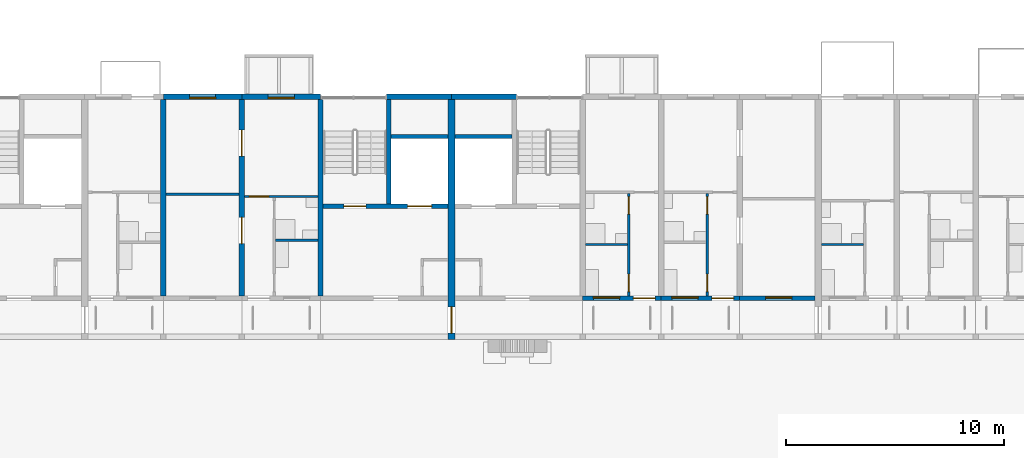
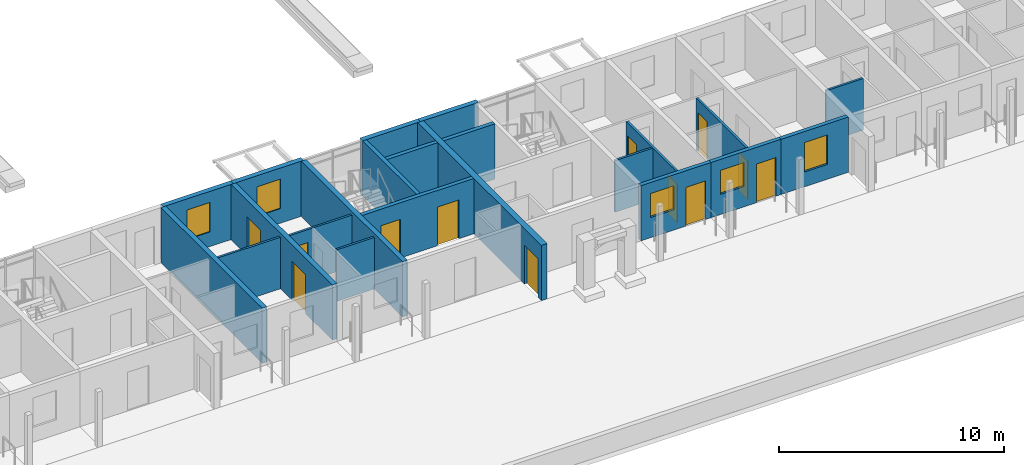
# One storey, part 42 of 115: 22 walls, 12 doors, 5 windows, 17 openings.
"""IFC4 building model written with IfcOpenShell, lengths in metres."""

from ifc_helpers import new_model, si_unit, direction, frame, frame_2d, origin, place, context, subcontext, project, spatial, rectangle, extrude, material, layer, layer_set, type_object, element, fill, save


model = new_model("IFC4")

# Units and contexts
model_context = context("Model", 3, precision=1e-05, world=origin(), true_north=direction((0.0, 1.0)))
body_context = subcontext(model_context, "Body", "Model", "MODEL_VIEW")
ifc_project = project(units=[si_unit("LENGTHUNIT", "METRE"), si_unit("AREAUNIT", "SQUARE_METRE"), si_unit("VOLUMEUNIT", "CUBIC_METRE"), si_unit("PLANEANGLEUNIT", "RADIAN"), si_unit("MASSUNIT", "GRAM", prefix="KILO")], contexts=[model_context])

# Site, building, storey
site_placement = place(None, origin())
site = spatial("IfcSite", under=ifc_project, at=site_placement, CompositionType="ELEMENT")
building_placement = place(site_placement, origin())
building = spatial("IfcBuilding", under=site, at=building_placement, Name="Ridgestep Commons", CompositionType="ELEMENT")
storey_placement = place(building_placement, frame((0.0, 0.0, 6.0)))
storey = spatial("IfcBuildingStorey", under=building, at=storey_placement, Name="L02", CompositionType="ELEMENT", Elevation=6.0)

# Wall
ifc_material_1 = material(Name="Concrete C30/37", Category="concrete")
ifc_layer_1 = layer(ifc_material_1, 0.25)
ifc_layer_set_1 = layer_set([ifc_layer_1], Name="Core cross wall 250")
wall_type_1 = type_object("IfcWallType", Name="Core cross wall 250", PredefinedType="SHEAR", material=ifc_layer_set_1)
wall_1_placement = place(storey_placement, frame((39.60009765625, 13.75, 0.0), z_axis=(0.0, 0.0, 1.0), x_axis=(0.0, 1.0, 0.0)))
element("IfcWall", 1, at=wall_1_placement, inside=storey, type_object=wall_type_1, Name="Cross wall A-02-0396", PredefinedType="SHEAR", context=body_context, shape_type="SweptSolid", body=[
    extrude(rectangle(XDim=9.0, YDim=0.25, at=frame_2d((4.5, 0.0))), origin(), (0.0, 0.0, 1.0), 3.0),
])

# Wall, openings, doors
ifc_material_2 = material(Name="Concrete C30/37", Category="concrete")
ifc_layer_2 = layer(ifc_material_2, 0.199951171875)
ifc_layer_set_2 = layer_set([ifc_layer_2], Name="Core wall 200")
wall_type_2 = type_object("IfcWallType", Name="Core wall 200", PredefinedType="SHEAR", material=ifc_layer_set_2)
wall_2_placement = place(storey_placement, frame((39.72509765625, 17.85009765625, 0.0), z_axis=(0.0, 0.0, 1.0), x_axis=(1.0, 0.0, 0.0)))
wall_2 = element("IfcWall", 2, at=wall_2_placement, inside=storey, type_object=wall_type_2, Name="Core lobby wall A2C L02", PredefinedType="SHEAR", context=body_context, shape_type="SweptSolid", body=[
    extrude(rectangle(XDim=5.724853515625, YDim=0.199951171875, at=frame_2d((2.8623046875, 0.0))), origin(), (0.0, 0.0, 1.0), 3.0),
])
opening_1_placement = place(wall_2_placement, frame((0.949951171875, 0.0, 0.0)))
opening_1 = element("IfcOpeningElement", 3, at=opening_1_placement, cuts=wall_2, Name="Opening A2C/02/2", PredefinedType="OPENING", context=body_context, shape_type="SweptSolid", body=[
    extrude(rectangle(XDim=1.0, YDim=2.10009765625, at=frame_2d((0.5, 1.050048828125))), frame((0.0, 0.10986328125, 0.0), z_axis=(0.0, -1.0, 0.0), x_axis=(1.0, 0.0, 0.0)), (0.0, 0.0, 1.0), 0.219970703125),
])
opening_2_placement = place(wall_2_placement, frame((3.862548828125, 0.0, 0.0)))
opening_2 = element("IfcOpeningElement", 4, at=opening_2_placement, cuts=wall_2, Name="Opening A2C/02/3", PredefinedType="OPENING", context=body_context, shape_type="SweptSolid", body=[
    extrude(rectangle(XDim=1.10009765625, YDim=2.10009765625, at=frame_2d((0.550048828125, 1.050048828125))), frame((0.0, 0.10986328125, 0.0), z_axis=(0.0, -1.0, 0.0), x_axis=(1.0, 0.0, 0.0)), (0.0, 0.0, 1.0), 0.219970703125),
])
ifc_material_3 = material(Name="Stainless steel", Category="steel")
door_type_1 = type_object("IfcDoorType", Name="Lift landing door 1100 x 2100 FD60", OperationType="DOUBLE_DOOR_SLIDING", PredefinedType="DOOR", material=ifc_material_3)
door_1_placement = place(opening_2_placement, origin())
door_1 = element("IfcDoor", 5, at=door_1_placement, inside=storey, type_object=door_type_1, Name="Landing door LD A2C L02", OperationType="DOUBLE_DOOR_SLIDING", OverallHeight=2.10009765625, OverallWidth=1.10009765625, PredefinedType="DOOR", context=body_context, shape_type="SweptSolid", body=[
    extrude(rectangle(XDim=1.10009765625, YDim=2.10009765625, at=frame_2d((0.550048828125, 1.050048828125))), frame((0.0, 0.02490234375, 0.0), z_axis=(0.0, -1.0, 0.0), x_axis=(1.0, 0.0, 0.0)), (0.0, 0.0, 1.0), 0.050048828125),
])
fill(opening_2, door_1)
ifc_material_4 = material(Name="Steel fire door", Category="steel")
door_type_2 = type_object("IfcDoorType", Name="Stair door 1000 x 2100 FD60", OperationType="NOTDEFINED", PredefinedType="DOOR", material=ifc_material_4)
door_2_placement = place(opening_1_placement, origin())
door_2 = element("IfcDoor", 6, at=door_2_placement, inside=storey, type_object=door_type_2, Name="Stair door A2C/02/2", OperationType="SINGLE_SWING_RIGHT", OverallHeight=2.10009765625, OverallWidth=1.0, PredefinedType="DOOR", context=body_context, shape_type="SweptSolid", body=[
    extrude(rectangle(XDim=1.0, YDim=2.10009765625, at=frame_2d((0.5, 1.050048828125))), frame((0.0, 0.02490234375, 0.0), z_axis=(0.0, -1.0, 0.0), x_axis=(1.0, 0.0, 0.0)), (0.0, 0.0, 1.0), 0.050048828125),
])
fill(opening_1, door_2)

# Walls
wall_3_placement = place(storey_placement, frame((42.72509765625, 17.949951171875, 0.0), z_axis=(0.0, 0.0, 1.0), x_axis=(0.0, 1.0, 0.0)))
element("IfcWall", 7, at=wall_3_placement, inside=storey, type_object=wall_type_2, Name="Core stair wall A2C L02", PredefinedType="SHEAR", context=body_context, shape_type="SweptSolid", body=[
    extrude(rectangle(XDim=4.800048828125, YDim=0.199951171875, at=frame_2d((2.39990234375, 0.0))), origin(), (0.0, 0.0, 1.0), 3.0),
])
for number, where, z_axis, x_axis, name in (
    (8, (42.824951171875, 21.050048828125, 0.0), (0.0, 0.0, 1.0), (1.0, 0.0, 0.0), "Core duct wall A2C L02"),
    (9, (45.75, 21.050048828125, 0.0), (0.0, 0.0, 1.0), (1.0, 0.0, 0.0), "Core duct wall A3C L02"),
):
    element("IfcWall", number, at=place(storey_placement, frame(where, z_axis=z_axis, x_axis=x_axis)), inside=storey, type_object=wall_type_2, Name=name, PredefinedType="SHEAR", context=body_context, shape_type="SweptSolid", body=[
        extrude(rectangle(XDim=2.625, YDim=0.199951171875, at=frame_2d((1.3125, 0.0))), origin(), (0.0, 0.0, 1.0), 3.0),
    ])
ifc_material_5 = material(Name="Precast concrete C40/50", Category="concrete")
ifc_layer_3 = layer(ifc_material_5, 0.25)
ifc_layer_set_3 = layer_set([ifc_layer_3], Name="Cross wall 250")
wall_type_3 = type_object("IfcWallType", Name="Cross wall 250", PredefinedType="SHEAR", material=ifc_layer_set_3)
wall_4_placement = place(storey_placement, frame((32.39990234375, 13.75, 0.0), z_axis=(0.0, 0.0, 1.0), x_axis=(0.0, 1.0, 0.0)))
element("IfcWall", 10, at=wall_4_placement, inside=storey, type_object=wall_type_3, Name="Cross wall A-02-0324", PredefinedType="SHEAR", context=body_context, shape_type="SweptSolid", body=[
    extrude(rectangle(XDim=9.0, YDim=0.25, at=frame_2d((4.5, 0.0))), origin(), (0.0, 0.0, 1.0), 3.0),
])

# Wall, openings, doors
wall_5_placement = place(storey_placement, frame((36.0, 13.75, 0.0), z_axis=(0.0, 0.0, 1.0), x_axis=(0.0, 1.0, 0.0)))
wall_5 = element("IfcWall", 11, at=wall_5_placement, inside=storey, type_object=wall_type_3, Name="Cross wall A-02-0360", PredefinedType="SHEAR", context=body_context, shape_type="SweptSolid", body=[
    extrude(rectangle(XDim=9.0, YDim=0.25, at=frame_2d((4.5, 0.0))), origin(), (0.0, 0.0, 1.0), 3.0),
])
opening_3_placement = place(wall_5_placement, frame((2.39990234375, 0.0, 0.0)))
opening_3 = element("IfcOpeningElement", 12, at=opening_3_placement, cuts=wall_5, Name="Opening A2-02b/5", PredefinedType="OPENING", context=body_context, shape_type="SweptSolid", body=[
    extrude(rectangle(XDim=1.199951171875, YDim=2.10009765625, at=frame_2d((0.60009765625, 1.050048828125))), frame((0.0, 0.135009765625, 0.0), z_axis=(0.0, -1.0, 0.0), x_axis=(1.0, 0.0, 0.0)), (0.0, 0.0, 1.0), 0.27001953125),
])
opening_4_placement = place(wall_5_placement, frame((6.39990234375, 0.0, 0.0)))
opening_4 = element("IfcOpeningElement", 13, at=opening_4_placement, cuts=wall_5, Name="Opening A2-02b/6", PredefinedType="OPENING", context=body_context, shape_type="SweptSolid", body=[
    extrude(rectangle(XDim=1.199951171875, YDim=2.10009765625, at=frame_2d((0.60009765625, 1.050048828125))), frame((0.0, 0.135009765625, 0.0), z_axis=(0.0, -1.0, 0.0), x_axis=(1.0, 0.0, 0.0)), (0.0, 0.0, 1.0), 0.27001953125),
])
ifc_material_6 = material(Name="Timber door leaf", Category="wood")
door_type_3 = type_object("IfcDoorType", Name="Double door 1200 x 2100", OperationType="DOUBLE_DOOR_SINGLE_SWING", PredefinedType="DOOR", material=ifc_material_6)
door_3_placement = place(opening_3_placement, origin())
door_3 = element("IfcDoor", 14, at=door_3_placement, inside=storey, type_object=door_type_3, Name="Double door A2-02b/5", OperationType="DOUBLE_DOOR_SINGLE_SWING", OverallHeight=2.10009765625, OverallWidth=1.199951171875, PredefinedType="DOOR", context=body_context, shape_type="SweptSolid", body=[
    extrude(rectangle(XDim=1.199951171875, YDim=2.10009765625, at=frame_2d((0.60009765625, 1.050048828125))), frame((0.0, 0.02490234375, 0.0), z_axis=(0.0, -1.0, 0.0), x_axis=(1.0, 0.0, 0.0)), (0.0, 0.0, 1.0), 0.050048828125),
])
fill(opening_3, door_3)
door_4_placement = place(opening_4_placement, origin())
door_4 = element("IfcDoor", 15, at=door_4_placement, inside=storey, type_object=door_type_3, Name="Double door A2-02b/6", OperationType="DOUBLE_DOOR_SINGLE_SWING", OverallHeight=2.10009765625, OverallWidth=1.199951171875, PredefinedType="DOOR", context=body_context, shape_type="SweptSolid", body=[
    extrude(rectangle(XDim=1.199951171875, YDim=2.10009765625, at=frame_2d((0.60009765625, 1.050048828125))), frame((0.0, 0.02490234375, 0.0), z_axis=(0.0, -1.0, 0.0), x_axis=(1.0, 0.0, 0.0)), (0.0, 0.0, 1.0), 0.050048828125),
])
fill(opening_4, door_4)

# Wall, opening, door
ifc_material_7 = material(Name="Precast concrete C40/50", Category="concrete")
ifc_layer_4 = layer(ifc_material_7, 0.300048828125)
ifc_layer_set_4 = layer_set([ifc_layer_4], Name="Division wall 300")
wall_type_4 = type_object("IfcWallType", Name="Division wall 300", PredefinedType="SHEAR", material=ifc_layer_set_4)
wall_6_placement = place(storey_placement, frame((45.60009765625, 11.75, 0.0), z_axis=(0.0, 0.0, 1.0), x_axis=(0.0, 1.0, 0.0)))
wall_6 = element("IfcWall", 16, at=wall_6_placement, inside=storey, type_object=wall_type_4, Name="Cross wall A-02-0456", PredefinedType="SHEAR", context=body_context, shape_type="SweptSolid", body=[
    extrude(rectangle(XDim=11.0, YDim=0.300048828125, at=frame_2d((5.5, 0.0))), origin(), (0.0, 0.0, 1.0), 3.0),
])
opening_5_placement = place(wall_6_placement, frame((0.300048828125, 0.0, 0.0)))
opening_5 = element("IfcOpeningElement", 17, at=opening_5_placement, cuts=wall_6, Name="Opening A/02/G0456", PredefinedType="OPENING", context=body_context, shape_type="SweptSolid", body=[
    extrude(rectangle(XDim=1.199951171875, YDim=2.10009765625, at=frame_2d((0.60009765625, 1.050048828125))), frame((0.0, 0.159912109375, 0.0), z_axis=(0.0, -1.0, 0.0), x_axis=(1.0, 0.0, 0.0)), (0.0, 0.0, 1.0), 0.320068359375),
])
ifc_material_8 = material(Name="Steel fire door", Category="steel")
door_type_4 = type_object("IfcDoorType", Name="Division fire door 1200 x 2100 EI 240", OperationType="DOUBLE_DOOR_SINGLE_SWING", PredefinedType="DOOR", material=ifc_material_8)
door_5_placement = place(opening_5_placement, origin())
door_5 = element("IfcDoor", 18, at=door_5_placement, inside=storey, type_object=door_type_4, Name="Division fire door A/02/G0456", OperationType="DOUBLE_DOOR_SINGLE_SWING", OverallHeight=2.10009765625, OverallWidth=1.199951171875, PredefinedType="DOOR", context=body_context, shape_type="SweptSolid", body=[
    extrude(rectangle(XDim=1.199951171875, YDim=2.10009765625, at=frame_2d((0.60009765625, 1.050048828125))), frame((0.0, 0.02490234375, 0.0), z_axis=(0.0, -1.0, 0.0), x_axis=(1.0, 0.0, 0.0)), (0.0, 0.0, 1.0), 0.050048828125),
])
fill(opening_5, door_5)

# Wall, opening, window
ifc_material_9 = material(Name="Precast concrete C40/50", Category="concrete")
ifc_layer_5 = layer(ifc_material_9, 0.25)
ifc_layer_set_5 = layer_set([ifc_layer_5], Name="North facade panel 250")
wall_type_5 = type_object("IfcWallType", Name="North facade panel 250", PredefinedType="SOLIDWALL", material=ifc_layer_set_5)
wall_7_placement = place(storey_placement, frame((32.39990234375, 22.875, 0.0), z_axis=(0.0, 0.0, 1.0), x_axis=(1.0, 0.0, 0.0)))
wall_7 = element("IfcWall", 19, at=wall_7_placement, inside=storey, type_object=wall_type_5, Name="North panel A2T2 L02", PredefinedType="SOLIDWALL", context=body_context, shape_type="SweptSolid", body=[
    extrude(rectangle(XDim=3.60009765625, YDim=0.25, at=frame_2d((1.800048828125, 0.0))), origin(), (0.0, 0.0, 1.0), 3.0),
])
opening_6_placement = place(wall_7_placement, frame((1.199951171875, 0.0, 0.800048828125)))
opening_6 = element("IfcOpeningElement", 20, at=opening_6_placement, cuts=wall_7, Name="Opening W11", PredefinedType="OPENING", context=body_context, shape_type="SweptSolid", body=[
    extrude(rectangle(XDim=1.199951171875, YDim=1.60009765625, at=frame_2d((0.60009765625, 0.800048828125))), frame((0.0, 0.135009765625, 0.0), z_axis=(0.0, -1.0, 0.0), x_axis=(1.0, 0.0, 0.0)), (0.0, 0.0, 1.0), 0.27001953125),
])
ifc_material_10 = material(Name="Aluminium 6063-T6 and glass", Category="aluminium")
window_type_1 = type_object("IfcWindowType", Name="Flat window 1200 x 1600", PartitioningType="SINGLE_PANEL", PredefinedType="WINDOW", material=ifc_material_10)
window_1_placement = place(opening_6_placement, origin())
window_1 = element("IfcWindow", 21, at=window_1_placement, inside=storey, type_object=window_type_1, Name="Window A2-02b 2", OverallHeight=1.60009765625, OverallWidth=1.199951171875, PartitioningType="SINGLE_PANEL", PredefinedType="WINDOW", context=body_context, shape_type="SweptSolid", body=[
    extrude(rectangle(XDim=1.199951171875, YDim=1.60009765625, at=frame_2d((0.60009765625, 0.800048828125))), frame((0.0, -0.02490234375, 0.0), z_axis=(0.0, -1.0, 0.0), x_axis=(1.0, 0.0, 0.0)), (0.0, 0.0, 1.0), 0.06005859375),
])
fill(opening_6, window_1)

wall_8_placement = place(storey_placement, frame((36.0, 22.875, 0.0), z_axis=(0.0, 0.0, 1.0), x_axis=(1.0, 0.0, 0.0)))
wall_8 = element("IfcWall", 22, at=wall_8_placement, inside=storey, type_object=wall_type_5, Name="North panel A2T3 L02", PredefinedType="SOLIDWALL", context=body_context, shape_type="SweptSolid", body=[
    extrude(rectangle(XDim=3.60009765625, YDim=0.25, at=frame_2d((1.800048828125, 0.0))), origin(), (0.0, 0.0, 1.0), 3.0),
])
opening_7_placement = place(wall_8_placement, frame((1.199951171875, 0.0, 0.800048828125)))
opening_7 = element("IfcOpeningElement", 23, at=opening_7_placement, cuts=wall_8, Name="Opening W11", PredefinedType="OPENING", context=body_context, shape_type="SweptSolid", body=[
    extrude(rectangle(XDim=1.199951171875, YDim=1.60009765625, at=frame_2d((0.60009765625, 0.800048828125))), frame((0.0, 0.135009765625, 0.0), z_axis=(0.0, -1.0, 0.0), x_axis=(1.0, 0.0, 0.0)), (0.0, 0.0, 1.0), 0.27001953125),
])
window_2_placement = place(opening_7_placement, origin())
window_2 = element("IfcWindow", 24, at=window_2_placement, inside=storey, type_object=window_type_1, Name="Window A2-02b 4", OverallHeight=1.60009765625, OverallWidth=1.199951171875, PartitioningType="SINGLE_PANEL", PredefinedType="WINDOW", context=body_context, shape_type="SweptSolid", body=[
    extrude(rectangle(XDim=1.199951171875, YDim=1.60009765625, at=frame_2d((0.60009765625, 0.800048828125))), frame((0.0, -0.02490234375, 0.0), z_axis=(0.0, -1.0, 0.0), x_axis=(1.0, 0.0, 0.0)), (0.0, 0.0, 1.0), 0.06005859375),
])
fill(opening_7, window_2)

# Walls
wall_9_placement = place(storey_placement, frame((42.625, 22.875, 0.0), z_axis=(0.0, 0.0, 1.0), x_axis=(1.0, 0.0, 0.0)))
element("IfcWall", 25, at=wall_9_placement, inside=storey, type_object=wall_type_5, Name="North panel A2C L02", PredefinedType="SOLIDWALL", context=body_context, shape_type="SweptSolid", body=[
    extrude(rectangle(XDim=2.97509765625, YDim=0.25, at=frame_2d((1.487548828125, 0.0))), origin(), (0.0, 0.0, 1.0), 3.0),
])
wall_10_placement = place(storey_placement, frame((45.60009765625, 22.875, 0.0), z_axis=(0.0, 0.0, 1.0), x_axis=(1.0, 0.0, 0.0)))
element("IfcWall", 26, at=wall_10_placement, inside=storey, type_object=wall_type_5, Name="North panel A3C L02", PredefinedType="SOLIDWALL", context=body_context, shape_type="SweptSolid", body=[
    extrude(rectangle(XDim=2.974853515625, YDim=0.25, at=frame_2d((1.4873046875, 0.0))), origin(), (0.0, 0.0, 1.0), 3.0),
])
ifc_material_11 = material(Name="Common brick 110 mm", Category="masonry")
ifc_layer_6 = layer(ifc_material_11, 0.110107421875)
ifc_layer_set_6 = layer_set([ifc_layer_6], Name="Partition 110")
wall_type_6 = type_object("IfcWallType", Name="Partition 110", PredefinedType="PARTITIONING", material=ifc_layer_set_6)
wall_11_placement = place(storey_placement, frame((37.534912109375, 16.304931640625, 0.0), z_axis=(0.0, 0.0, 1.0), x_axis=(1.0, 0.0, 0.0)))
element("IfcWall", 27, at=wall_11_placement, inside=storey, type_object=wall_type_6, Name="Partition A2-02b", PredefinedType="PARTITIONING", context=body_context, shape_type="SweptSolid", body=[
    extrude(rectangle(XDim=1.940185546875, YDim=0.110107421875, at=frame_2d((0.97021484375, 0.0))), origin(), (0.0, 0.0, 1.0), 2.800048828125),
])

# Wall, opening, door
wall_12_placement = place(storey_placement, frame((36.125, 18.304931640625, 0.0), z_axis=(0.0, 0.0, 1.0), x_axis=(1.0, 0.0, 0.0)))
wall_12 = element("IfcWall", 28, at=wall_12_placement, inside=storey, type_object=wall_type_6, Name="Partition A2-02b", PredefinedType="PARTITIONING", context=body_context, shape_type="SweptSolid", body=[
    extrude(rectangle(XDim=3.35009765625, YDim=0.110107421875, at=frame_2d((1.675048828125, 0.0))), origin(), (0.0, 0.0, 1.0), 2.800048828125),
])
opening_8_placement = place(wall_12_placement, frame((0.199951171875, 0.0, 0.0)))
opening_8 = element("IfcOpeningElement", 29, at=opening_8_placement, cuts=wall_12, Name="Opening A2-02b/4", PredefinedType="OPENING", context=body_context, shape_type="SweptSolid", body=[
    extrude(rectangle(XDim=0.89990234375, YDim=2.10009765625, at=frame_2d((0.449951171875, 1.050048828125))), frame((0.0, 0.06494140625, 0.0), z_axis=(0.0, -1.0, 0.0), x_axis=(1.0, 0.0, 0.0)), (0.0, 0.0, 1.0), 0.130126953125),
])
ifc_material_12 = material(Name="Timber door leaf", Category="wood")
door_type_5 = type_object("IfcDoorType", Name="Internal door 900 x 2100", OperationType="NOTDEFINED", PredefinedType="DOOR", material=ifc_material_12)
door_6_placement = place(opening_8_placement, origin())
door_6 = element("IfcDoor", 30, at=door_6_placement, inside=storey, type_object=door_type_5, Name="Internal door A2-02b/4", OperationType="SINGLE_SWING_LEFT", OverallHeight=2.10009765625, OverallWidth=0.89990234375, PredefinedType="DOOR", context=body_context, shape_type="SweptSolid", body=[
    extrude(rectangle(XDim=0.89990234375, YDim=2.10009765625, at=frame_2d((0.449951171875, 1.050048828125))), frame((0.0, 0.02490234375, 0.0), z_axis=(0.0, -1.0, 0.0), x_axis=(1.0, 0.0, 0.0)), (0.0, 0.0, 1.0), 0.050048828125),
])
fill(opening_8, door_6)

# Wall
wall_13_placement = place(storey_placement, frame((32.52490234375, 18.405029296875, 0.0), z_axis=(0.0, 0.0, 1.0), x_axis=(1.0, 0.0, 0.0)))
element("IfcWall", 31, at=wall_13_placement, inside=storey, type_object=wall_type_6, Name="Partition A2-02b", PredefinedType="PARTITIONING", context=body_context, shape_type="SweptSolid", body=[
    extrude(rectangle(XDim=3.35009765625, YDim=0.110107421875, at=frame_2d((1.675048828125, 0.0))), origin(), (0.0, 0.0, 1.0), 2.800048828125),
])

# Wall, openings, doors
wall_14_placement = place(storey_placement, frame((57.320068359375, 13.75, 0.0), z_axis=(0.0, 0.0, 1.0), x_axis=(0.0, 1.0, 0.0)))
wall_14 = element("IfcWall", 32, at=wall_14_placement, inside=storey, type_object=wall_type_6, Name="Partition A3-02a", PredefinedType="PARTITIONING", context=body_context, shape_type="SweptSolid", body=[
    extrude(rectangle(XDim=4.699951171875, YDim=0.110107421875, at=frame_2d((2.35009765625, 0.0))), origin(), (0.0, 0.0, 1.0), 2.800048828125),
])
opening_9_placement = place(wall_14_placement, frame((0.199951171875, 0.0, 0.0)))
opening_9 = element("IfcOpeningElement", 33, at=opening_9_placement, cuts=wall_14, Name="Opening A3-02a/2", PredefinedType="OPENING", context=body_context, shape_type="SweptSolid", body=[
    extrude(rectangle(XDim=0.800048828125, YDim=2.10009765625, at=frame_2d((0.39990234375, 1.050048828125))), frame((0.0, 0.06494140625, 0.0), z_axis=(0.0, -1.0, 0.0), x_axis=(1.0, 0.0, 0.0)), (0.0, 0.0, 1.0), 0.130126953125),
])
opening_10_placement = place(wall_14_placement, frame((3.75, 0.0, 0.0)))
opening_10 = element("IfcOpeningElement", 34, at=opening_10_placement, cuts=wall_14, Name="Opening A3-02a/3", PredefinedType="OPENING", context=body_context, shape_type="SweptSolid", body=[
    extrude(rectangle(XDim=0.800048828125, YDim=2.10009765625, at=frame_2d((0.39990234375, 1.050048828125))), frame((0.0, 0.06494140625, 0.0), z_axis=(0.0, -1.0, 0.0), x_axis=(1.0, 0.0, 0.0)), (0.0, 0.0, 1.0), 0.130126953125),
])
ifc_material_13 = material(Name="Timber door leaf", Category="wood")
door_type_6 = type_object("IfcDoorType", Name="Internal door 800 x 2100", OperationType="NOTDEFINED", PredefinedType="DOOR", material=ifc_material_13)
door_7_placement = place(opening_9_placement, origin())
door_7 = element("IfcDoor", 35, at=door_7_placement, inside=storey, type_object=door_type_6, Name="Internal door A3-02a/2", OperationType="SINGLE_SWING_LEFT", OverallHeight=2.10009765625, OverallWidth=0.800048828125, PredefinedType="DOOR", context=body_context, shape_type="SweptSolid", body=[
    extrude(rectangle(XDim=0.800048828125, YDim=2.10009765625, at=frame_2d((0.39990234375, 1.050048828125))), frame((0.0, 0.02490234375, 0.0), z_axis=(0.0, -1.0, 0.0), x_axis=(1.0, 0.0, 0.0)), (0.0, 0.0, 1.0), 0.050048828125),
])
fill(opening_9, door_7)
door_8_placement = place(opening_10_placement, origin())
door_8 = element("IfcDoor", 36, at=door_8_placement, inside=storey, type_object=door_type_6, Name="Internal door A3-02a/3", OperationType="SINGLE_SWING_RIGHT", OverallHeight=2.10009765625, OverallWidth=0.800048828125, PredefinedType="DOOR", context=body_context, shape_type="SweptSolid", body=[
    extrude(rectangle(XDim=0.800048828125, YDim=2.10009765625, at=frame_2d((0.39990234375, 1.050048828125))), frame((0.0, 0.02490234375, 0.0), z_axis=(0.0, -1.0, 0.0), x_axis=(1.0, 0.0, 0.0)), (0.0, 0.0, 1.0), 0.050048828125),
])
fill(opening_10, door_8)

# Wall
wall_15_placement = place(storey_placement, frame((51.72509765625, 16.10498046875, 0.0), z_axis=(0.0, 0.0, 1.0), x_axis=(1.0, 0.0, 0.0)))
element("IfcWall", 37, at=wall_15_placement, inside=storey, type_object=wall_type_6, Name="Partition A3-02b", PredefinedType="PARTITIONING", context=body_context, shape_type="SweptSolid", body=[
    extrude(rectangle(XDim=1.93994140625, YDim=0.110107421875, at=frame_2d((0.969970703125, 0.0))), origin(), (0.0, 0.0, 1.0), 2.800048828125),
])

# Wall, openings, doors
wall_16_placement = place(storey_placement, frame((53.719970703125, 13.75, 0.0), z_axis=(0.0, 0.0, 1.0), x_axis=(0.0, 1.0, 0.0)))
wall_16 = element("IfcWall", 38, at=wall_16_placement, inside=storey, type_object=wall_type_6, Name="Partition A3-02b", PredefinedType="PARTITIONING", context=body_context, shape_type="SweptSolid", body=[
    extrude(rectangle(XDim=4.699951171875, YDim=0.110107421875, at=frame_2d((2.35009765625, 0.0))), origin(), (0.0, 0.0, 1.0), 2.800048828125),
])
opening_11_placement = place(wall_16_placement, frame((0.199951171875, 0.0, 0.0)))
opening_11 = element("IfcOpeningElement", 39, at=opening_11_placement, cuts=wall_16, Name="Opening A3-02b/2", PredefinedType="OPENING", context=body_context, shape_type="SweptSolid", body=[
    extrude(rectangle(XDim=0.800048828125, YDim=2.10009765625, at=frame_2d((0.39990234375, 1.050048828125))), frame((0.0, 0.06494140625, 0.0), z_axis=(0.0, -1.0, 0.0), x_axis=(1.0, 0.0, 0.0)), (0.0, 0.0, 1.0), 0.130126953125),
])
opening_12_placement = place(wall_16_placement, frame((3.75, 0.0, 0.0)))
opening_12 = element("IfcOpeningElement", 40, at=opening_12_placement, cuts=wall_16, Name="Opening A3-02b/3", PredefinedType="OPENING", context=body_context, shape_type="SweptSolid", body=[
    extrude(rectangle(XDim=0.800048828125, YDim=2.10009765625, at=frame_2d((0.39990234375, 1.050048828125))), frame((0.0, 0.06494140625, 0.0), z_axis=(0.0, -1.0, 0.0), x_axis=(1.0, 0.0, 0.0)), (0.0, 0.0, 1.0), 0.130126953125),
])
door_9_placement = place(opening_11_placement, origin())
door_9 = element("IfcDoor", 41, at=door_9_placement, inside=storey, type_object=door_type_6, Name="Internal door A3-02b/2", OperationType="SINGLE_SWING_LEFT", OverallHeight=2.10009765625, OverallWidth=0.800048828125, PredefinedType="DOOR", context=body_context, shape_type="SweptSolid", body=[
    extrude(rectangle(XDim=0.800048828125, YDim=2.10009765625, at=frame_2d((0.39990234375, 1.050048828125))), frame((0.0, 0.02490234375, 0.0), z_axis=(0.0, -1.0, 0.0), x_axis=(1.0, 0.0, 0.0)), (0.0, 0.0, 1.0), 0.050048828125),
])
fill(opening_11, door_9)
door_10_placement = place(opening_12_placement, origin())
door_10 = element("IfcDoor", 42, at=door_10_placement, inside=storey, type_object=door_type_6, Name="Internal door A3-02b/3", OperationType="SINGLE_SWING_RIGHT", OverallHeight=2.10009765625, OverallWidth=0.800048828125, PredefinedType="DOOR", context=body_context, shape_type="SweptSolid", body=[
    extrude(rectangle(XDim=0.800048828125, YDim=2.10009765625, at=frame_2d((0.39990234375, 1.050048828125))), frame((0.0, 0.02490234375, 0.0), z_axis=(0.0, -1.0, 0.0), x_axis=(1.0, 0.0, 0.0)), (0.0, 0.0, 1.0), 0.050048828125),
])
fill(opening_12, door_10)

# Wall
wall_17_placement = place(storey_placement, frame((62.550048828125, 16.10498046875, 0.0), z_axis=(0.0, 0.0, 1.0), x_axis=(1.0, 0.0, 0.0)))
element("IfcWall", 43, at=wall_17_placement, inside=storey, type_object=wall_type_6, Name="Partition A4-02a", PredefinedType="PARTITIONING", context=body_context, shape_type="SweptSolid", body=[
    extrude(rectangle(XDim=1.9150390625, YDim=0.110107421875, at=frame_2d((0.95751953125, 0.0))), origin(), (0.0, 0.0, 1.0), 2.800048828125),
])

# Wall, openings, door, window
ifc_material_14 = material(Name="Precast concrete C40/50", Category="concrete")
ifc_layer_7 = layer(ifc_material_14, 0.199951171875)
ifc_layer_set_7 = layer_set([ifc_layer_7], Name="South facade panel 200")
wall_type_7 = type_object("IfcWallType", Name="South facade panel 200", PredefinedType="SOLIDWALL", material=ifc_layer_set_7)
wall_18_placement = place(storey_placement, frame((51.60009765625, 13.64990234375, 0.0), z_axis=(0.0, 0.0, 1.0), x_axis=(1.0, 0.0, 0.0)))
wall_18 = element("IfcWall", 44, at=wall_18_placement, inside=storey, type_object=wall_type_7, Name="South panel A3T3 L02", PredefinedType="SOLIDWALL", context=body_context, shape_type="SweptSolid", body=[
    extrude(rectangle(XDim=3.599853515625, YDim=0.199951171875, at=frame_2d((1.7998046875, 0.0))), origin(), (0.0, 0.0, 1.0), 3.0),
])
opening_13_placement = place(wall_18_placement, frame((0.4951171875, 0.0, 1.10009765625)))
opening_13 = element("IfcOpeningElement", 45, at=opening_13_placement, cuts=wall_18, Name="Opening W08", PredefinedType="OPENING", context=body_context, shape_type="SweptSolid", body=[
    extrude(rectangle(XDim=1.199951171875, YDim=1.300048828125, at=frame_2d((0.60009765625, 0.64990234375))), frame((0.0, 0.10986328125, 0.0), z_axis=(0.0, -1.0, 0.0), x_axis=(1.0, 0.0, 0.0)), (0.0, 0.0, 1.0), 0.219970703125),
])
opening_14_placement = place(wall_18_placement, frame((2.324951171875, 0.0, 0.0)))
opening_14 = element("IfcOpeningElement", 46, at=opening_14_placement, cuts=wall_18, Name="Opening A3-02b/1", PredefinedType="OPENING", context=body_context, shape_type="SweptSolid", body=[
    extrude(rectangle(XDim=1.0, YDim=2.10009765625, at=frame_2d((0.5, 1.050048828125))), frame((0.0, 0.10986328125, 0.0), z_axis=(0.0, -1.0, 0.0), x_axis=(1.0, 0.0, 0.0)), (0.0, 0.0, 1.0), 0.219970703125),
])
ifc_material_15 = material(Name="Timber door leaf", Category="wood")
door_type_7 = type_object("IfcDoorType", Name="Flat entrance door 1000 x 2100 FD30S", OperationType="NOTDEFINED", PredefinedType="DOOR", material=ifc_material_15)
door_11_placement = place(opening_14_placement, origin())
door_11 = element("IfcDoor", 47, at=door_11_placement, inside=storey, type_object=door_type_7, Name="Flat entrance door A3-02b/1", OperationType="SINGLE_SWING_RIGHT", OverallHeight=2.10009765625, OverallWidth=1.0, PredefinedType="DOOR", context=body_context, shape_type="SweptSolid", body=[
    extrude(rectangle(XDim=1.0, YDim=2.10009765625, at=frame_2d((0.5, 1.050048828125))), frame((0.0, 0.02490234375, 0.0), z_axis=(0.0, -1.0, 0.0), x_axis=(1.0, 0.0, 0.0)), (0.0, 0.0, 1.0), 0.050048828125),
])
fill(opening_14, door_11)
ifc_material_16 = material(Name="Aluminium 6063-T6 and glass", Category="aluminium")
window_type_2 = type_object("IfcWindowType", Name="Flat window 1200 x 1300", PartitioningType="SINGLE_PANEL", PredefinedType="WINDOW", material=ifc_material_16)
window_3_placement = place(opening_13_placement, origin())
window_3 = element("IfcWindow", 48, at=window_3_placement, inside=storey, type_object=window_type_2, Name="Window A3-02b 1", OverallHeight=1.300048828125, OverallWidth=1.199951171875, PartitioningType="SINGLE_PANEL", PredefinedType="WINDOW", context=body_context, shape_type="SweptSolid", body=[
    extrude(rectangle(XDim=1.199951171875, YDim=1.300048828125, at=frame_2d((0.60009765625, 0.64990234375))), frame((0.0, 0.06005859375, 0.0), z_axis=(0.0, -1.0, 0.0), x_axis=(1.0, 0.0, 0.0)), (0.0, 0.0, 1.0), 0.06005859375),
])
fill(opening_13, window_3)

wall_19_placement = place(storey_placement, frame((55.199951171875, 13.64990234375, 0.0), z_axis=(0.0, 0.0, 1.0), x_axis=(1.0, 0.0, 0.0)))
wall_19 = element("IfcWall", 49, at=wall_19_placement, inside=storey, type_object=wall_type_7, Name="South panel A3T2 L02", PredefinedType="SOLIDWALL", context=body_context, shape_type="SweptSolid", body=[
    extrude(rectangle(XDim=3.60009765625, YDim=0.199951171875, at=frame_2d((1.800048828125, 0.0))), origin(), (0.0, 0.0, 1.0), 3.0),
])
opening_15_placement = place(wall_19_placement, frame((0.4951171875, 0.0, 1.10009765625)))
opening_15 = element("IfcOpeningElement", 50, at=opening_15_placement, cuts=wall_19, Name="Opening W08", PredefinedType="OPENING", context=body_context, shape_type="SweptSolid", body=[
    extrude(rectangle(XDim=1.199951171875, YDim=1.300048828125, at=frame_2d((0.60009765625, 0.64990234375))), frame((0.0, 0.10986328125, 0.0), z_axis=(0.0, -1.0, 0.0), x_axis=(1.0, 0.0, 0.0)), (0.0, 0.0, 1.0), 0.219970703125),
])
opening_16_placement = place(wall_19_placement, frame((2.324951171875, 0.0, 0.0)))
opening_16 = element("IfcOpeningElement", 51, at=opening_16_placement, cuts=wall_19, Name="Opening A3-02a/1", PredefinedType="OPENING", context=body_context, shape_type="SweptSolid", body=[
    extrude(rectangle(XDim=1.0, YDim=2.10009765625, at=frame_2d((0.5, 1.050048828125))), frame((0.0, 0.10986328125, 0.0), z_axis=(0.0, -1.0, 0.0), x_axis=(1.0, 0.0, 0.0)), (0.0, 0.0, 1.0), 0.219970703125),
])
door_12_placement = place(opening_16_placement, origin())
door_12 = element("IfcDoor", 52, at=door_12_placement, inside=storey, type_object=door_type_7, Name="Flat entrance door A3-02a/1", OperationType="SINGLE_SWING_RIGHT", OverallHeight=2.10009765625, OverallWidth=1.0, PredefinedType="DOOR", context=body_context, shape_type="SweptSolid", body=[
    extrude(rectangle(XDim=1.0, YDim=2.10009765625, at=frame_2d((0.5, 1.050048828125))), frame((0.0, 0.02490234375, 0.0), z_axis=(0.0, -1.0, 0.0), x_axis=(1.0, 0.0, 0.0)), (0.0, 0.0, 1.0), 0.050048828125),
])
fill(opening_16, door_12)
window_4_placement = place(opening_15_placement, origin())
window_4 = element("IfcWindow", 53, at=window_4_placement, inside=storey, type_object=window_type_2, Name="Window A3-02a 3", OverallHeight=1.300048828125, OverallWidth=1.199951171875, PartitioningType="SINGLE_PANEL", PredefinedType="WINDOW", context=body_context, shape_type="SweptSolid", body=[
    extrude(rectangle(XDim=1.199951171875, YDim=1.300048828125, at=frame_2d((0.60009765625, 0.64990234375))), frame((0.0, 0.06005859375, 0.0), z_axis=(0.0, -1.0, 0.0), x_axis=(1.0, 0.0, 0.0)), (0.0, 0.0, 1.0), 0.06005859375),
])
fill(opening_15, window_4)

# Wall, opening, window
wall_20_placement = place(storey_placement, frame((58.800048828125, 13.64990234375, 0.0), z_axis=(0.0, 0.0, 1.0), x_axis=(1.0, 0.0, 0.0)))
wall_20 = element("IfcWall", 54, at=wall_20_placement, inside=storey, type_object=wall_type_7, Name="South panel A3T1 L02", PredefinedType="SOLIDWALL", context=body_context, shape_type="SweptSolid", body=[
    extrude(rectangle(XDim=3.449951171875, YDim=0.199951171875, at=frame_2d((1.72509765625, 0.0))), origin(), (0.0, 0.0, 1.0), 3.0),
])
opening_17_placement = place(wall_20_placement, frame((1.1875, 0.0, 0.800048828125)))
opening_17 = element("IfcOpeningElement", 55, at=opening_17_placement, cuts=wall_20, Name="Opening W11", PredefinedType="OPENING", context=body_context, shape_type="SweptSolid", body=[
    extrude(rectangle(XDim=1.199951171875, YDim=1.60009765625, at=frame_2d((0.60009765625, 0.800048828125))), frame((0.0, 0.10986328125, 0.0), z_axis=(0.0, -1.0, 0.0), x_axis=(1.0, 0.0, 0.0)), (0.0, 0.0, 1.0), 0.219970703125),
])
window_5_placement = place(opening_17_placement, origin())
window_5 = element("IfcWindow", 56, at=window_5_placement, inside=storey, type_object=window_type_1, Name="Window A3-02a 1", OverallHeight=1.60009765625, OverallWidth=1.199951171875, PartitioningType="SINGLE_PANEL", PredefinedType="WINDOW", context=body_context, shape_type="SweptSolid", body=[
    extrude(rectangle(XDim=1.199951171875, YDim=1.60009765625, at=frame_2d((0.60009765625, 0.800048828125))), frame((0.0, 0.06005859375, 0.0), z_axis=(0.0, -1.0, 0.0), x_axis=(1.0, 0.0, 0.0)), (0.0, 0.0, 1.0), 0.06005859375),
])
fill(opening_17, window_5)

save(model, "model.ifc")
